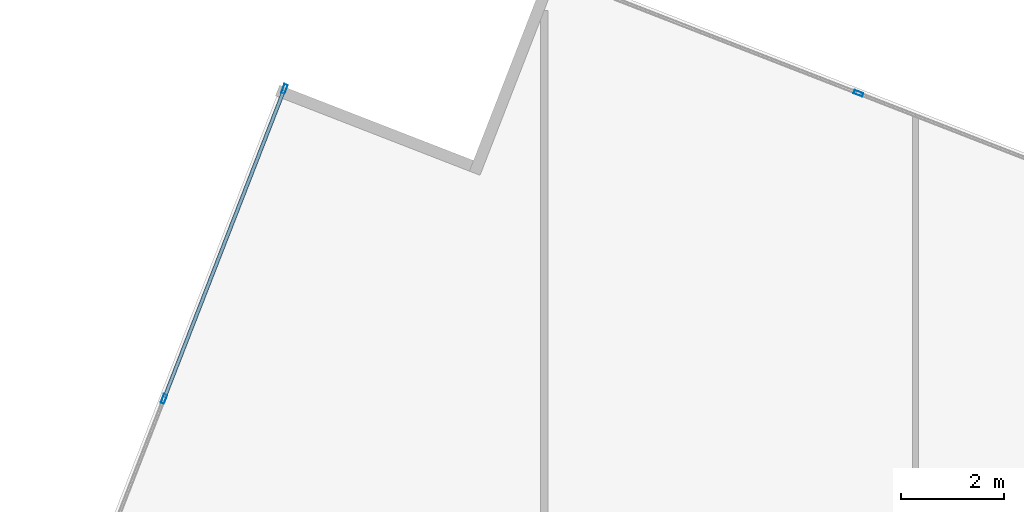
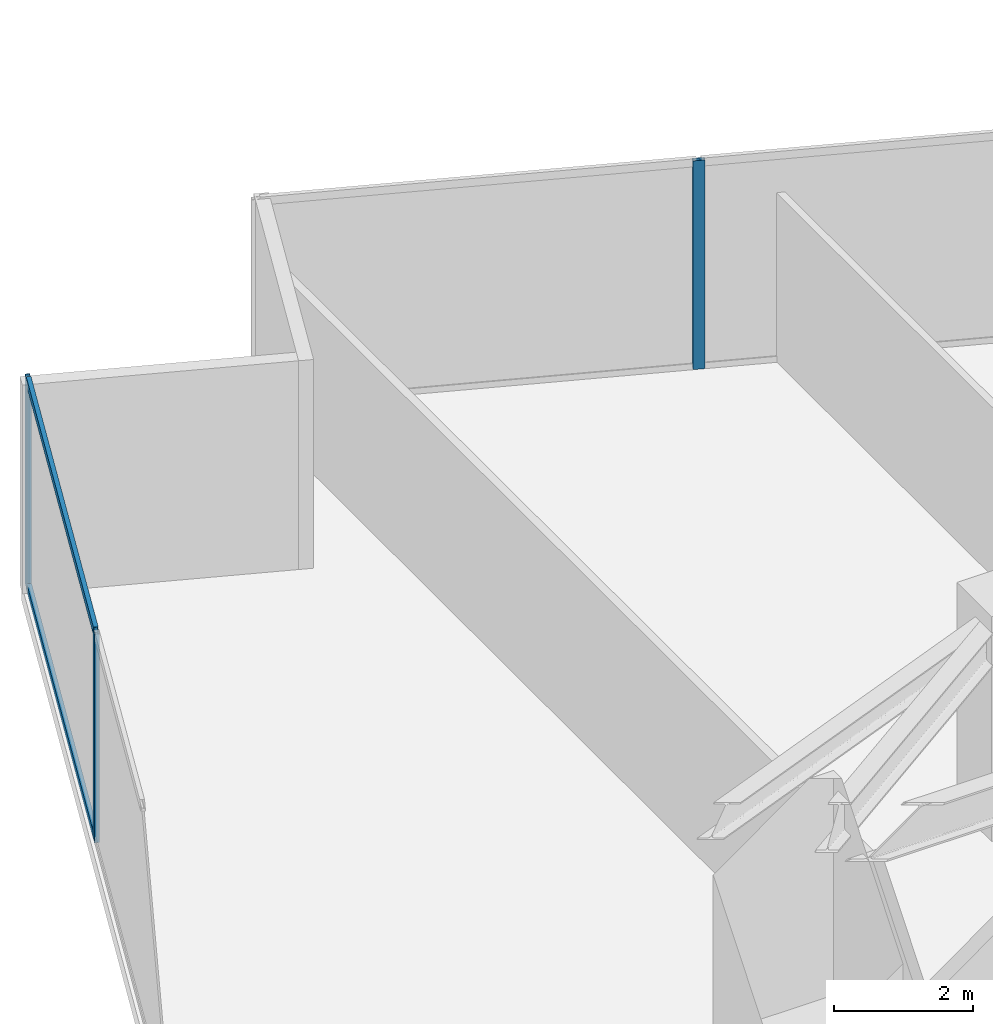
# One storey, part 16 of 26: 5 members, 2 elements without a shape of their own.
"""IFC4 building model written with IfcOpenShell, lengths in metres."""

from ifc_helpers import new_model, si_unit, direction, frame, origin, origin_2d, place, context, subcontext, project, spatial, hollow_rectangle, extrude, source, transform, mapped, material, material_profile, profile_set, type_object, type_shapes, element, aggregate, save


model = new_model("IFC4")

# Units and contexts
model_context = context("Model", 3, precision=1e-05, world=origin(), true_north=direction((0.0, 1.0)))
body_context = subcontext(model_context, "Body", "Model", "MODEL_VIEW")
ifc_project = project(units=[si_unit("LENGTHUNIT", "METRE"), si_unit("AREAUNIT", "SQUARE_METRE"), si_unit("VOLUMEUNIT", "CUBIC_METRE"), si_unit("PLANEANGLEUNIT", "RADIAN"), si_unit("MASSUNIT", "GRAM", prefix="KILO")], contexts=[model_context])

# Site, building, storey
site_placement = place(None, origin())
site = spatial("IfcSite", under=ifc_project, at=site_placement, CompositionType="ELEMENT")
building_placement = place(site_placement, origin())
building = spatial("IfcBuilding", under=site, at=building_placement, Name="Krantzveldt Concourse Tower", CompositionType="ELEMENT")
storey_placement = place(building_placement, frame((0.0, 0.0, 129.550048828125)))
storey = spatial("IfcBuildingStorey", under=building, at=storey_placement, Name="L31", CompositionType="ELEMENT", Elevation=129.550048828125)

# Curtain wall, members
ifc_material = material(Name="Anodised aluminium 6063-T6", Category="aluminium")
curtain_wall_type = type_object("IfcCurtainWallType", Name="CW2", PredefinedType="USERDEFINED", material=ifc_material)
curtain_wall_1_placement = place(storey_placement, origin())
curtain_wall_1 = element("IfcCurtainWall", 1, at=curtain_wall_1_placement, inside=storey, type_object=curtain_wall_type, Name="CW-L31-F01", ObjectType="UNITISED CURTAIN WALL", PredefinedType="USERDEFINED")
ifc_material_profile_1 = material_profile(ifc_material, hollow_rectangle(XDim=0.070068359375, YDim=0.179931640625, WallThickness=0.0048828125, at=origin_2d()), Name="Anodised aluminium 6063-T6", Category="aluminium")
ifc_profile_set_1 = profile_set([ifc_material_profile_1], Name="Anodised aluminium 6063-T6 - ALU-MULL 180x70x5")
member_type_1 = type_object("IfcMemberType", Name="CW-MUL-180", PredefinedType="MULLION", material=ifc_profile_set_1)
shared_shape_1 = source(origin(), body_context, "Body", "SweptSolid", [
    extrude(hollow_rectangle(XDim=0.070068359375, YDim=0.179931640625, WallThickness=0.0048828125, at=origin_2d()), origin(), (0.0, 0.0, 1.0), 3.669921875),
])
type_shapes(member_type_1, [shared_shape_1])
member_1_placement = place(storey_placement, frame((21.29345703125, 53.19677734375, 0.0), z_axis=(0.0, 0.0, 1.0), x_axis=(0.93200790248, -0.362437952917, 0.0)))
member_1 = element("IfcMember", 2, at=member_1_placement, type_object=member_type_1, Name="CW-Z12 mullion 1", PredefinedType="MULLION", context=body_context, shape_type="MappedRepresentation", body=[
    mapped(shared_shape_1, transform((0.0, 0.0, 0.0), x_axis=(1.0, 0.0, 0.0), y_axis=(0.0, 1.0, 0.0), z_axis=(0.0, 0.0, 1.0), scale=1.0)),
])
member_2_placement = place(storey_placement, frame((18.96240234375, 47.202392578125, 0.0), z_axis=(0.0, 0.0, 1.0), x_axis=(0.93200790248, -0.362437952917, 0.0)))
member_2 = element("IfcMember", 3, at=member_2_placement, type_object=member_type_1, Name="CW-Z12 mullion 2", PredefinedType="MULLION", context=body_context, shape_type="MappedRepresentation", body=[
    mapped(shared_shape_1, transform((0.0, 0.0, 0.0), x_axis=(1.0, 0.0, 0.0), y_axis=(0.0, 1.0, 0.0), z_axis=(0.0, 0.0, 1.0), scale=1.0)),
])

# Curtain wall, member
curtain_wall_2_placement = place(storey_placement, origin())
curtain_wall_2 = element("IfcCurtainWall", 4, at=curtain_wall_2_placement, inside=storey, type_object=curtain_wall_type, Name="CW-L31-F14", ObjectType="UNITISED CURTAIN WALL", PredefinedType="USERDEFINED")
member_3_placement = place(storey_placement, frame((32.39453125, 53.112548828125, 0.0), z_axis=(0.0, 0.0, 1.0), x_axis=(-0.362437952917, -0.93200790248, 0.0)))
member_3 = element("IfcMember", 5, at=member_3_placement, type_object=member_type_1, Name="CW-Z12 mullion 6", PredefinedType="MULLION", context=body_context, shape_type="MappedRepresentation", body=[
    mapped(shared_shape_1, transform((0.0, 0.0, 0.0), x_axis=(1.0, 0.0, 0.0), y_axis=(0.0, 1.0, 0.0), z_axis=(0.0, 0.0, 1.0), scale=1.0)),
])
aggregate(curtain_wall_2, [member_3])

# Member
ifc_material_profile_2 = material_profile(ifc_material, hollow_rectangle(XDim=0.070068359375, YDim=0.139892578125, WallThickness=0.0048828125, at=origin_2d()), Name="Anodised aluminium 6063-T6", Category="aluminium")
ifc_profile_set_2 = profile_set([ifc_material_profile_2], Name="Anodised aluminium 6063-T6 - ALU-TRAN 140x70x5")
member_type_2 = type_object("IfcMemberType", Name="CW-TRN-150", PredefinedType="USERDEFINED", material=ifc_profile_set_2)
shared_shape_2 = source(origin(), body_context, "Body", "SweptSolid", [
    extrude(hollow_rectangle(XDim=0.070068359375, YDim=0.139892578125, WallThickness=0.0048828125, at=origin_2d()), origin(), (0.0, 0.0, 1.0), 6.361572265625),
])
type_shapes(member_type_2, [shared_shape_2])
member_4_placement = place(storey_placement, frame((21.28076171875, 53.1640625, 0.034912109375), z_axis=(-0.362440705101, -0.93200683221, 0.0), x_axis=(0.93200683221, -0.362440705101, 0.0)))
member_4 = element("IfcMember", 6, at=member_4_placement, type_object=member_type_2, Name="CW-Z12 transom 1.1", ObjectType="TRANSOM", PredefinedType="USERDEFINED", context=body_context, shape_type="MappedRepresentation", body=[
    mapped(shared_shape_2, transform((0.0, 0.0, 0.0), x_axis=(1.0, 0.0, 0.0), y_axis=(0.0, 1.0, 0.0), z_axis=(0.0, 0.0, 1.0), scale=1.0)),
])

member_5_placement = place(storey_placement, frame((21.28076171875, 53.1640625, 3.635009765625), z_axis=(-0.362440705101, -0.93200683221, 0.0), x_axis=(0.93200683221, -0.362440705101, 0.0)))
member_5 = element("IfcMember", 7, at=member_5_placement, type_object=member_type_2, Name="CW-Z12 transom 1.2", ObjectType="TRANSOM", PredefinedType="USERDEFINED", context=body_context, shape_type="MappedRepresentation", body=[
    mapped(shared_shape_2, transform((0.0, 0.0, 0.0), x_axis=(1.0, 0.0, 0.0), y_axis=(0.0, 1.0, 0.0), z_axis=(0.0, 0.0, 1.0), scale=1.0)),
])

aggregate(curtain_wall_1, [member_1, member_2, member_4, member_5])

save(model, "model.ifc")
